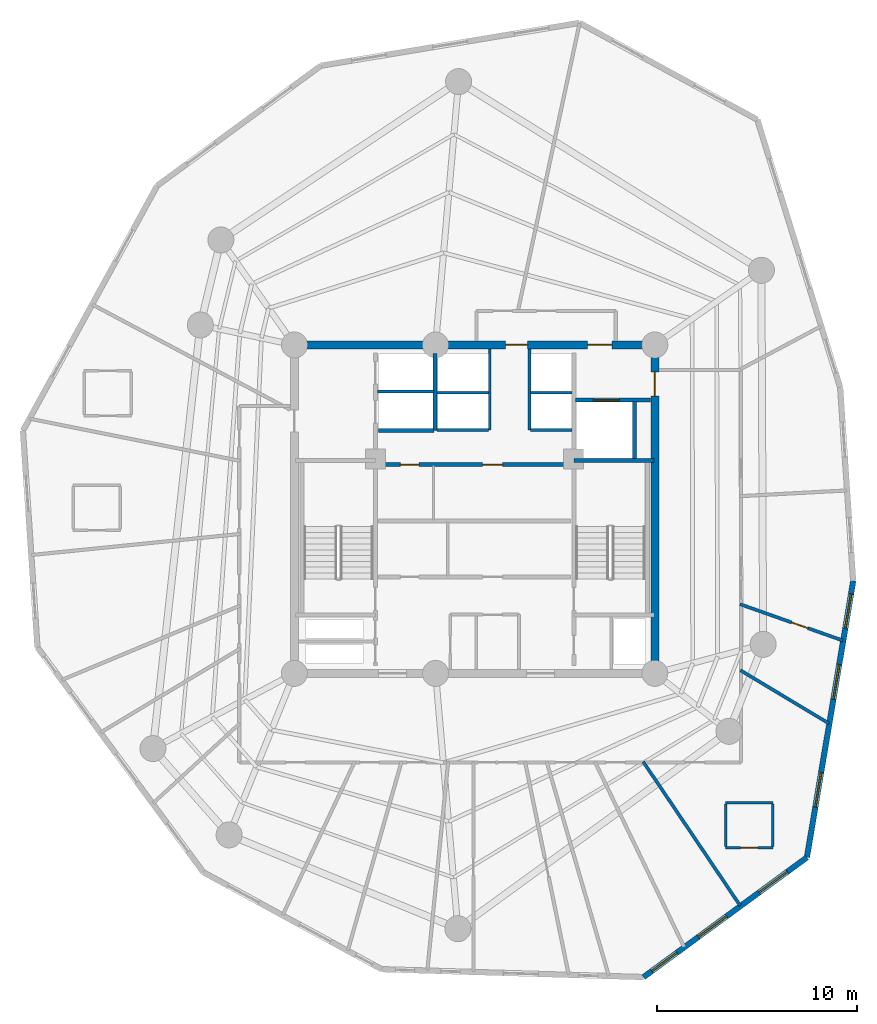
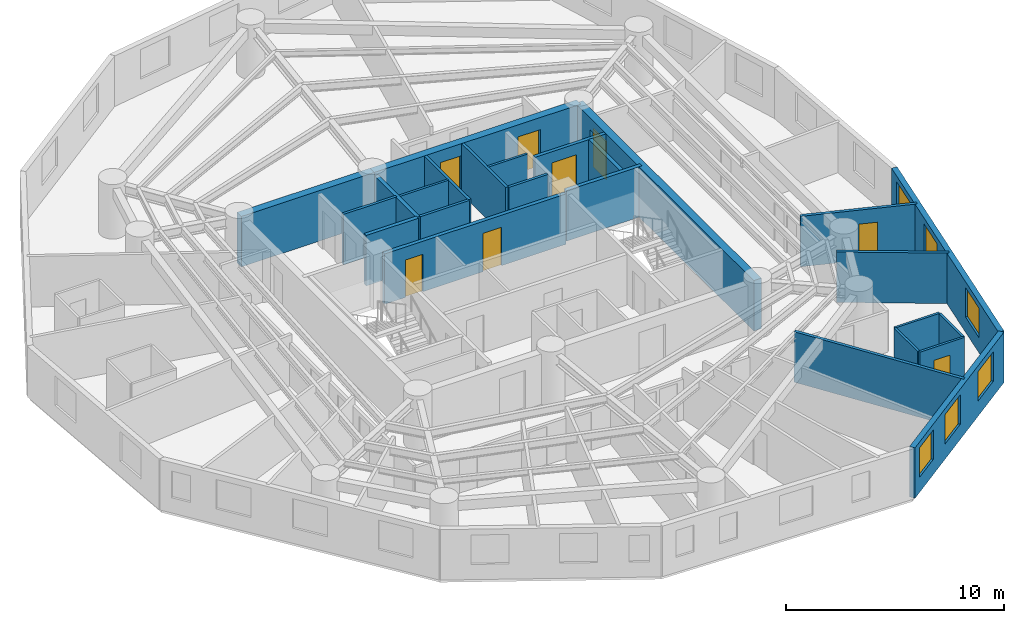
# One storey, part 5 of 7: 25 walls, 8 doors, 6 windows, 14 openings.
"""IFC4 building model written with IfcOpenShell, lengths in metres."""

from ifc_helpers import new_model, si_unit, direction, frame, frame_2d, origin, origin_with_axes, place, context, subcontext, project, spatial, rectangle, extrude, source, transform, mapped, material, layer, layer_set, type_object, element, fill, save


model = new_model("IFC4")

# Units and contexts
model_context = context("Model", 3, precision=1e-05, world=origin(), true_north=direction((0.0, 1.0)))
body_context = subcontext(model_context, "Body", "Model", "MODEL_VIEW")
ifc_project = project(units=[si_unit("LENGTHUNIT", "METRE"), si_unit("AREAUNIT", "SQUARE_METRE"), si_unit("VOLUMEUNIT", "CUBIC_METRE"), si_unit("PLANEANGLEUNIT", "RADIAN"), si_unit("MASSUNIT", "GRAM", prefix="KILO")], contexts=[model_context])

# Site, building, storey
site_placement = place(None, origin())
site = spatial("IfcSite", under=ifc_project, at=site_placement, CompositionType="ELEMENT")
building_placement = place(site_placement, origin())
building = spatial("IfcBuilding", under=site, at=building_placement, Name="Karkom Vertical University and Central Library", CompositionType="ELEMENT")
storey_placement = place(building_placement, frame((0.0, 0.0, 196.199951171875)))
storey = spatial("IfcBuildingStorey", under=building, at=storey_placement, Name="L57", CompositionType="ELEMENT", Elevation=196.199951171875)

# Wall, openings, windows
ifc_material_1 = material(Name="Brick-faced precast concrete C45/55", Category="masonry")
ifc_layer_1 = layer(ifc_material_1, 0.280029296875)
ifc_layer_set_1 = layer_set([ifc_layer_1], Name="Brick-faced precast concrete C45/55")
wall_type_1 = type_object("IfcWallType", Name="ENV-WL-BRK-280", PredefinedType="SOLIDWALL", material=ifc_layer_set_1)
wall_1_placement = place(storey_placement, frame((36.93701171875, 3.12744140625, 0.0), z_axis=(0.0, 0.0, 1.0), x_axis=(0.806602107794, 0.591094780642, 0.0)))
wall_1 = element("IfcWall", 1, at=wall_1_placement, inside=storey, type_object=wall_type_1, Name="Level 57 Brick-Faced Precast Facade Wall 05", PredefinedType="SOLIDWALL", context=body_context, shape_type="SweptSolid", body=[
    extrude(rectangle(XDim=10.11767578125, YDim=0.280029296875, at=frame_2d((5.058837890625, 0.0))), origin(), (0.0, 0.0, 1.0), 2.824951171875),
])
opening_1_placement = place(wall_1_placement, frame((0.521728515625, 0.0, 0.85009765625)))
opening_1 = element("IfcOpeningElement", 2, at=opening_1_placement, cuts=wall_1, Name="Opening WN-09", PredefinedType="OPENING", context=body_context, shape_type="SweptSolid", body=[
    extrude(rectangle(XDim=1.550048828125, YDim=1.64990234375, at=frame_2d((0.77490234375, 0.824951171875))), frame((0.0, 0.14990234375, 0.0), z_axis=(0.0, -1.0, 0.0), x_axis=(1.0, 0.0, 0.0)), (0.0, 0.0, 1.0), 0.300048828125),
])
opening_2_placement = place(wall_1_placement, frame((3.39404296875, 0.0, 0.85009765625)))
opening_2 = element("IfcOpeningElement", 3, at=opening_2_placement, cuts=wall_1, Name="Opening WN-08", PredefinedType="OPENING", context=body_context, shape_type="SweptSolid", body=[
    extrude(rectangle(XDim=1.75, YDim=1.64990234375, at=frame_2d((0.875, 0.824951171875))), frame((0.0, 0.14990234375, 0.0), z_axis=(0.0, -1.0, 0.0), x_axis=(1.0, 0.0, 0.0)), (0.0, 0.0, 1.0), 0.300048828125),
])
opening_3_placement = place(wall_1_placement, frame((7.15625, 0.0, 0.85009765625)))
opening_3 = element("IfcOpeningElement", 4, at=opening_3_placement, cuts=wall_1, Name="Opening WN-08", PredefinedType="OPENING", context=body_context, shape_type="SweptSolid", body=[
    extrude(rectangle(XDim=1.75, YDim=1.64990234375, at=frame_2d((0.875, 0.824951171875))), frame((0.0, 0.14990234375, 0.0), z_axis=(0.0, -1.0, 0.0), x_axis=(1.0, 0.0, 0.0)), (0.0, 0.0, 1.0), 0.300048828125),
])
ifc_material_2 = material(Name="Aluminium thermal-break frame with solar-control IGU", Category="aluminium")
window_type_1 = type_object("IfcWindowType", Name="ENV-WIN-WN-08", PartitioningType="SINGLE_PANEL", PredefinedType="WINDOW", material=ifc_material_2)
shared_shape_1 = source(origin_with_axes(), body_context, "Body", "SweptSolid", [
    extrude(rectangle(XDim=1.75, YDim=1.64990234375, at=frame_2d((0.875, 0.824951171875))), frame((0.0, 0.030029296875, 0.0), z_axis=(0.0, -1.0, 0.0), x_axis=(1.0, 0.0, 0.0)), (0.0, 0.0, 1.0), 0.06005859375),
])
window_1_placement = place(opening_2_placement, origin())
window_1 = element("IfcWindow", 5, at=window_1_placement, inside=storey, type_object=window_type_1, Name="Level 57 Punched Window 5.2", OverallHeight=1.64990234375, OverallWidth=1.75, PartitioningType="SINGLE_PANEL", PredefinedType="WINDOW", context=body_context, shape_type="MappedRepresentation", body=[
    mapped(shared_shape_1, transform((0.0, 0.0, 0.0), scale=1.0)),
])
fill(opening_2, window_1)
window_2_placement = place(opening_3_placement, origin())
window_2 = element("IfcWindow", 6, at=window_2_placement, inside=storey, type_object=window_type_1, Name="Level 57 Punched Window 5.3", OverallHeight=1.64990234375, OverallWidth=1.75, PartitioningType="SINGLE_PANEL", PredefinedType="WINDOW", context=body_context, shape_type="MappedRepresentation", body=[
    mapped(shared_shape_1, transform((0.0, 0.0, 0.0), scale=1.0)),
])
fill(opening_3, window_2)
window_type_2 = type_object("IfcWindowType", Name="ENV-WIN-WN-09", PartitioningType="SINGLE_PANEL", PredefinedType="WINDOW", material=ifc_material_2)
shared_shape_2 = source(origin_with_axes(), body_context, "Body", "SweptSolid", [
    extrude(rectangle(XDim=1.550048828125, YDim=1.64990234375, at=frame_2d((0.77490234375, 0.824951171875))), frame((0.0, 0.030029296875, 0.0), z_axis=(0.0, -1.0, 0.0), x_axis=(1.0, 0.0, 0.0)), (0.0, 0.0, 1.0), 0.06005859375),
])
window_3_placement = place(opening_1_placement, origin())
window_3 = element("IfcWindow", 7, at=window_3_placement, inside=storey, type_object=window_type_2, Name="Level 57 Punched Window 5.1", OverallHeight=1.64990234375, OverallWidth=1.550048828125, PartitioningType="SINGLE_PANEL", PredefinedType="WINDOW", context=body_context, shape_type="MappedRepresentation", body=[
    mapped(shared_shape_2, transform((0.0, 0.0, 0.0), scale=1.0)),
])
fill(opening_1, window_3)

wall_2_placement = place(storey_placement, frame((45.097900390625, 9.10791015625, 0.0), z_axis=(0.0, 0.0, 1.0), x_axis=(0.165224465417, 0.986255989096, 0.0)))
wall_2 = element("IfcWall", 8, at=wall_2_placement, inside=storey, type_object=wall_type_1, Name="Level 57 Brick-Faced Precast Facade Wall 06", PredefinedType="SOLIDWALL", context=body_context, shape_type="SweptSolid", body=[
    extrude(rectangle(XDim=14.00341796875, YDim=0.280029296875, at=frame_2d((7.001708984375, 0.0))), origin(), (0.0, 0.0, 1.0), 2.824951171875),
])
opening_4_placement = place(wall_2_placement, frame((2.552490234375, 0.0, 0.85009765625)))
opening_4 = element("IfcOpeningElement", 9, at=opening_4_placement, cuts=wall_2, Name="Opening WN-08", PredefinedType="OPENING", context=body_context, shape_type="SweptSolid", body=[
    extrude(rectangle(XDim=1.75, YDim=1.64990234375, at=frame_2d((0.875, 0.824951171875))), frame((0.0, 0.14990234375, 0.0), z_axis=(0.0, -1.0, 0.0), x_axis=(1.0, 0.0, 0.0)), (0.0, 0.0, 1.0), 0.300048828125),
])
opening_5_placement = place(wall_2_placement, frame((8.015380859375, 0.0, 0.85009765625)))
opening_5 = element("IfcOpeningElement", 10, at=opening_5_placement, cuts=wall_2, Name="Opening WN-08", PredefinedType="OPENING", context=body_context, shape_type="SweptSolid", body=[
    extrude(rectangle(XDim=1.75, YDim=1.64990234375, at=frame_2d((0.875, 0.824951171875))), frame((0.0, 0.14990234375, 0.0), z_axis=(0.0, -1.0, 0.0), x_axis=(1.0, 0.0, 0.0)), (0.0, 0.0, 1.0), 0.300048828125),
])
opening_6_placement = place(wall_2_placement, frame((11.589599609375, 0.0, 0.85009765625)))
opening_6 = element("IfcOpeningElement", 11, at=opening_6_placement, cuts=wall_2, Name="Opening WN-08", PredefinedType="OPENING", context=body_context, shape_type="SweptSolid", body=[
    extrude(rectangle(XDim=1.75, YDim=1.64990234375, at=frame_2d((0.875, 0.824951171875))), frame((0.0, 0.14990234375, 0.0), z_axis=(0.0, -1.0, 0.0), x_axis=(1.0, 0.0, 0.0)), (0.0, 0.0, 1.0), 0.300048828125),
])
window_4_placement = place(opening_4_placement, origin())
window_4 = element("IfcWindow", 12, at=window_4_placement, inside=storey, type_object=window_type_1, Name="Level 57 Punched Window 6.1", OverallHeight=1.64990234375, OverallWidth=1.75, PartitioningType="SINGLE_PANEL", PredefinedType="WINDOW", context=body_context, shape_type="MappedRepresentation", body=[
    mapped(shared_shape_1, transform((0.0, 0.0, 0.0), scale=1.0)),
])
fill(opening_4, window_4)
window_5_placement = place(opening_5_placement, origin())
window_5 = element("IfcWindow", 13, at=window_5_placement, inside=storey, type_object=window_type_1, Name="Level 57 Punched Window 6.2", OverallHeight=1.64990234375, OverallWidth=1.75, PartitioningType="SINGLE_PANEL", PredefinedType="WINDOW", context=body_context, shape_type="MappedRepresentation", body=[
    mapped(shared_shape_1, transform((0.0, 0.0, 0.0), scale=1.0)),
])
fill(opening_5, window_5)
window_6_placement = place(opening_6_placement, origin())
window_6 = element("IfcWindow", 14, at=window_6_placement, inside=storey, type_object=window_type_1, Name="Level 57 Punched Window 6.3", OverallHeight=1.64990234375, OverallWidth=1.75, PartitioningType="SINGLE_PANEL", PredefinedType="WINDOW", context=body_context, shape_type="MappedRepresentation", body=[
    mapped(shared_shape_1, transform((0.0, 0.0, 0.0), scale=1.0)),
])
fill(opening_6, window_6)

# Wall
ifc_material_3 = material(Name="Insulated metal-stud drywall 160mm", Category="gypsum")
ifc_layer_2 = layer(ifc_material_3, 0.159912109375)
ifc_layer_set_2 = layer_set([ifc_layer_2], Name="Insulated metal-stud drywall 160mm")
wall_type_2 = type_object("IfcWallType", Name="INT-WL-COR-160", PredefinedType="PARTITIONING", material=ifc_layer_set_2)
wall_3_placement = place(storey_placement, frame((36.921630859375, 13.88720703125, 0.0), z_axis=(0.0, 0.0, 1.0), x_axis=(0.558612635936, -0.829428672625, 0.0)))
element("IfcWall", 15, at=wall_3_placement, inside=storey, type_object=wall_type_2, Name="Level 57 Interior Partition Wall L57-PW-012", PredefinedType="PARTITIONING", context=body_context, shape_type="SweptSolid", body=[
    extrude(rectangle(XDim=8.669677734375, YDim=0.159912109375, at=frame_2d((4.3349609375, 0.0))), origin(), (0.0, 0.0, 1.0), 2.824951171875),
])

# Wall, opening, door
wall_4_placement = place(storey_placement, frame((41.757568359375, 21.753173828125, 0.0), z_axis=(0.0, 0.0, 1.0), x_axis=(0.942885884215, -0.333115909779, 0.0)))
wall_4 = element("IfcWall", 16, at=wall_4_placement, inside=storey, type_object=wall_type_2, Name="Level 57 Interior Partition Wall L57-PW-014", PredefinedType="PARTITIONING", context=body_context, shape_type="SweptSolid", body=[
    extrude(rectangle(XDim=5.439697265625, YDim=0.159912109375, at=frame_2d((2.7197265625, 0.0))), origin(), (0.0, 0.0, 1.0), 2.824951171875),
])
opening_7_placement = place(wall_4_placement, frame((2.729736328125, 0.0, 0.0)))
opening_7 = element("IfcOpeningElement", 17, at=opening_7_placement, cuts=wall_4, Name="Opening FD-BTH2", PredefinedType="OPENING", context=body_context, shape_type="SweptSolid", body=[
    extrude(rectangle(XDim=0.860107421875, YDim=2.0400390625, at=frame_2d((0.43017578125, 1.02001953125))), frame((0.0, 0.08984375, 0.0), z_axis=(0.0, -1.0, 0.0), x_axis=(1.0, 0.0, 0.0)), (0.0, 0.0, 1.0), 0.179931640625),
])
ifc_material_4 = material(Name="Fire-rated moisture-resistant oak door", Category="wood")
door_type_1 = type_object("IfcDoorType", Name="INT-DR-FBTH2", OperationType="NOTDEFINED", PredefinedType="DOOR", material=ifc_material_4)
shared_shape_3 = source(origin_with_axes(), body_context, "Body", "SweptSolid", [
    extrude(rectangle(XDim=0.860107421875, YDim=2.0400390625, at=frame_2d((0.43017578125, 1.02001953125))), frame((0.0, 0.02490234375, 0.0), z_axis=(0.0, -1.0, 0.0), x_axis=(1.0, 0.0, 0.0)), (0.0, 0.0, 1.0), 0.050048828125),
])
door_1_placement = place(opening_7_placement, origin())
door_1 = element("IfcDoor", 18, at=door_1_placement, inside=storey, type_object=door_type_1, Name="Level 57 Scholar Consultation Office Entry Door", OperationType="SINGLE_SWING_LEFT", OverallHeight=2.0400390625, OverallWidth=0.860107421875, PredefinedType="DOOR", context=body_context, shape_type="MappedRepresentation", body=[
    mapped(shared_shape_3, transform((0.0, 0.0, 0.0), scale=1.0)),
])
fill(opening_7, door_1)

# Wall
wall_5_placement = place(storey_placement, frame((41.7744140625, 18.45458984375, 0.0), z_axis=(0.0, 0.0, 1.0), x_axis=(0.857174888139, -0.515025447084, 0.0)))
element("IfcWall", 19, at=wall_5_placement, inside=storey, type_object=wall_type_2, Name="Level 57 Interior Partition Wall L57-PW-013", PredefinedType="PARTITIONING", context=body_context, shape_type="SweptSolid", body=[
    extrude(rectangle(XDim=5.150390625, YDim=0.159912109375, at=frame_2d((2.5751953125, 0.0))), origin(), (0.0, 0.0, 1.0), 2.824951171875),
])

# Wall, opening, door
ifc_material_5 = material(Name="Moisture-resistant drywall 120mm", Category="gypsum")
ifc_layer_3 = layer(ifc_material_5, 0.1201171875)
ifc_layer_set_3 = layer_set([ifc_layer_3], Name="Moisture-resistant drywall 120mm")
wall_type_3 = type_object("IfcWallType", Name="INT-WL-INT-120F", PredefinedType="PARTITIONING", material=ifc_layer_set_3)
wall_6_placement = place(storey_placement, frame((41.034912109375, 9.593994140625, 0.0), z_axis=(0.0, 0.0, 1.0), x_axis=(1.0, 0.0, 0.0)))
wall_6 = element("IfcWall", 20, at=wall_6_placement, inside=storey, type_object=wall_type_3, Name="Level 57 Interior Partition Wall L57-ENS-11-S", PredefinedType="PARTITIONING", context=body_context, shape_type="SweptSolid", body=[
    extrude(rectangle(XDim=2.360107421875, YDim=0.1201171875, at=frame_2d((1.18017578125, 0.0))), origin(), (0.0, 0.0, 1.0), 2.824951171875),
])
opening_8_placement = place(wall_6_placement, frame((0.75, 0.0, 0.0)))
opening_8 = element("IfcOpeningElement", 21, at=opening_8_placement, cuts=wall_6, Name="Opening D-BATH", PredefinedType="OPENING", context=body_context, shape_type="SweptSolid", body=[
    extrude(rectangle(XDim=0.860107421875, YDim=2.10009765625, at=frame_2d((0.43017578125, 1.050048828125))), frame((0.0, 0.070068359375, 0.0), z_axis=(0.0, -1.0, 0.0), x_axis=(1.0, 0.0, 0.0)), (0.0, 0.0, 1.0), 0.14013671875),
])
ifc_material_6 = material(Name="Moisture-resistant oak door", Category="wood")
door_type_2 = type_object("IfcDoorType", Name="INT-DR-BATH", OperationType="NOTDEFINED", PredefinedType="DOOR", material=ifc_material_6)
shared_shape_4 = source(origin_with_axes(), body_context, "Body", "SweptSolid", [
    extrude(rectangle(XDim=0.860107421875, YDim=2.10009765625, at=frame_2d((0.43017578125, 1.050048828125))), frame((0.0, 0.02490234375, 0.0), z_axis=(0.0, -1.0, 0.0), x_axis=(1.0, 0.0, 0.0)), (0.0, 0.0, 1.0), 0.050048828125),
])
door_2_placement = place(opening_8_placement, origin())
door_2 = element("IfcDoor", 22, at=door_2_placement, inside=storey, type_object=door_type_2, Name="Level 57 En-Suite Bathroom Door 11", OperationType="SINGLE_SWING_LEFT", OverallHeight=2.10009765625, OverallWidth=0.860107421875, PredefinedType="DOOR", context=body_context, shape_type="MappedRepresentation", body=[
    mapped(shared_shape_4, transform((0.0, 0.0, 0.0), scale=1.0)),
])
fill(opening_8, door_2)

# Walls
wall_7_placement = place(storey_placement, frame((43.39501953125, 11.833984375, 0.0), z_axis=(0.0, 0.0, 1.0), x_axis=(-1.0, 0.0, 0.0)))
element("IfcWall", 23, at=wall_7_placement, inside=storey, type_object=wall_type_3, Name="Level 57 Interior Partition Wall L57-ENS-11-N", PredefinedType="PARTITIONING", context=body_context, shape_type="SweptSolid", body=[
    extrude(rectangle(XDim=2.360107421875, YDim=0.1201171875, at=frame_2d((1.18017578125, 0.0))), origin(), (0.0, 0.0, 1.0), 2.824951171875),
])
for number, where, z_axis, x_axis, name in (
    (24, (43.39501953125, 9.64404296875, 0.0), (0.0, 0.0, 1.0), (0.0, 1.0, 0.0), "Level 57 Interior Partition Wall L57-ENS-11-E"),
    (25, (41.034912109375, 11.783935546875, 0.0), (0.0, 0.0, 1.0), (0.0, -1.0, 0.0), "Level 57 Interior Partition Wall L57-ENS-11-W"),
):
    element("IfcWall", number, at=place(storey_placement, frame(where, z_axis=z_axis, x_axis=x_axis)), inside=storey, type_object=wall_type_3, Name=name, PredefinedType="PARTITIONING", context=body_context, shape_type="SweptSolid", body=[
        extrude(rectangle(XDim=2.139892578125, YDim=0.1201171875, at=frame_2d((1.06982421875, 0.0))), origin(), (0.0, 0.0, 1.0), 2.824951171875),
    ])
ifc_layer_4 = layer(ifc_material_5, 0.1201171875)
ifc_layer_set_4 = layer_set([ifc_layer_4], Name="Moisture-resistant drywall 120mm")
wall_type_4 = type_object("IfcWallType", Name="INT-WL-INT-120H", PredefinedType="PARTITIONING", material=ifc_layer_set_4)
wall_8_placement = place(storey_placement, frame((26.6201171875, 32.320068359375, 0.0), z_axis=(0.0, 0.0, 1.0), x_axis=(1.0, 0.0, 0.0)))
element("IfcWall", 26, at=wall_8_placement, inside=storey, type_object=wall_type_4, Name="Level 57 Interior Partition Wall L57-CW-PH-MW", PredefinedType="PARTITIONING", context=body_context, shape_type="SweptSolid", body=[
    extrude(rectangle(XDim=2.579833984375, YDim=0.1201171875, at=frame_2d((1.2900390625, 0.0))), origin(), (0.0, 0.0, 1.0), 2.824951171875),
])
wall_9_placement = place(storey_placement, frame((31.300048828125, 32.320068359375, 0.0), z_axis=(0.0, 0.0, 1.0), x_axis=(1.0, 0.0, 0.0)))
element("IfcWall", 27, at=wall_9_placement, inside=storey, type_object=wall_type_4, Name="Level 57 Interior Partition Wall L57-CW-PH-ME", PredefinedType="PARTITIONING", context=body_context, shape_type="SweptSolid", body=[
    extrude(rectangle(XDim=2.074951171875, YDim=0.1201171875, at=frame_2d((1.03759765625, 0.0))), origin(), (0.0, 0.0, 1.0), 2.824951171875),
])
ifc_material_7 = material(Name="Metal-stud gypsum partition 140mm", Category="gypsum")
ifc_layer_5 = layer(ifc_material_7, 0.139892578125)
ifc_layer_set_5 = layer_set([ifc_layer_5], Name="Metal-stud gypsum partition 140mm")
wall_type_5 = type_object("IfcWallType", Name="INT-WL-SUB-140H", PredefinedType="PARTITIONING", material=ifc_layer_set_5)
for number, where, z_axis, x_axis, name in (
    (28, (29.260009765625, 30.449951171875, 0.0), (0.0, 0.0, 1.0), (0.0, 1.0, 0.0), "Level 57 Interior Partition Wall L57-CW-PH-W"),
    (29, (31.239990234375, 30.449951171875, 0.0), (0.0, 0.0, 1.0), (0.0, 1.0, 0.0), "Level 57 Interior Partition Wall L57-CW-PH-E"),
):
    element("IfcWall", number, at=place(storey_placement, frame(where, z_axis=z_axis, x_axis=x_axis)), inside=storey, type_object=wall_type_5, Name=name, PredefinedType="PARTITIONING", context=body_context, shape_type="SweptSolid", body=[
        extrude(rectangle(XDim=4.04296875, YDim=0.139892578125, at=frame_2d((2.021484375, 0.0))), origin(), (0.0, 0.0, 1.0), 2.824951171875),
    ])
wall_10_placement = place(storey_placement, frame((26.6201171875, 30.449951171875, 0.0), z_axis=(0.0, 0.0, 1.0), x_axis=(1.0, 0.0, 0.0)))
element("IfcWall", 30, at=wall_10_placement, inside=storey, type_object=wall_type_5, Name="Level 57 Interior Partition Wall L57-CW-PH-S1", PredefinedType="PARTITIONING", context=body_context, shape_type="SweptSolid", body=[
    extrude(rectangle(XDim=2.579833984375, YDim=0.139892578125, at=frame_2d((1.2900390625, 0.0))), origin(), (0.0, 0.0, 1.0), 2.824951171875),
])
wall_11_placement = place(storey_placement, frame((31.300048828125, 30.449951171875, 0.0), z_axis=(0.0, 0.0, 1.0), x_axis=(1.0, 0.0, 0.0)))
element("IfcWall", 31, at=wall_11_placement, inside=storey, type_object=wall_type_5, Name="Level 57 Interior Partition Wall L57-CW-PH-S2", PredefinedType="PARTITIONING", context=body_context, shape_type="SweptSolid", body=[
    extrude(rectangle(XDim=2.074951171875, YDim=0.139892578125, at=frame_2d((1.03759765625, 0.0))), origin(), (0.0, 0.0, 1.0), 2.824951171875),
])
ifc_layer_6 = layer(ifc_material_7, 0.139892578125)
ifc_layer_set_6 = layer_set([ifc_layer_6], Name="Metal-stud gypsum partition 140mm")
wall_type_6 = type_object("IfcWallType", Name="INT-WL-SUB-140X", PredefinedType="PARTITIONING", material=ifc_layer_set_6)
wall_12_placement = place(storey_placement, frame((23.652099609375, 32.3701171875, 0.0), z_axis=(0.0, 0.0, 1.0), x_axis=(1.0, 0.0, 0.0)))
element("IfcWall", 32, at=wall_12_placement, inside=storey, type_object=wall_type_6, Name="Level 57 Interior Partition Wall L57-CW-FFL-M", PredefinedType="PARTITIONING", context=body_context, shape_type="SweptSolid", body=[
    extrude(rectangle(XDim=2.827880859375, YDim=0.139892578125, at=frame_2d((1.4140625, 0.0))), origin(), (0.0, 0.0, 1.0), 2.824951171875),
])

# Wall, opening, door
ifc_material_8 = material(Name="Twin-stud acoustic drywall 180mm", Category="gypsum")
ifc_layer_7 = layer(ifc_material_8, 0.179931640625)
ifc_layer_set_7 = layer_set([ifc_layer_7], Name="Twin-stud acoustic drywall 180mm")
wall_type_7 = type_object("IfcWallType", Name="INT-WL-TEN-180F", PredefinedType="PARTITIONING", material=ifc_layer_set_7)
wall_13_placement = place(storey_placement, frame((33.534912109375, 31.949951171875, 0.0), z_axis=(0.0, 0.0, 1.0), x_axis=(1.0, 0.0, 0.0)))
wall_13 = element("IfcWall", 33, at=wall_13_placement, inside=storey, type_object=wall_type_7, Name="Level 57 Interior Partition Wall L57-CW-SVL-N", PredefinedType="PARTITIONING", context=body_context, shape_type="SweptSolid", body=[
    extrude(rectangle(XDim=3.7587890625, YDim=0.179931640625, at=frame_2d((1.87939453125, 0.0))), origin(), (0.0, 0.0, 1.0), 2.824951171875),
])
opening_9_placement = place(wall_13_placement, frame((0.89990234375, 0.0, 0.0)))
opening_9 = element("IfcOpeningElement", 34, at=opening_9_placement, cuts=wall_13, Name="Opening LD-SV1", PredefinedType="OPENING", context=body_context, shape_type="SweptSolid", body=[
    extrude(rectangle(XDim=1.300048828125, YDim=2.199951171875, at=frame_2d((0.64990234375, 1.10009765625))), frame((0.0, 0.10009765625, 0.0), z_axis=(0.0, -1.0, 0.0), x_axis=(1.0, 0.0, 0.0)), (0.0, 0.0, 1.0), 0.199951171875),
])
ifc_material_9 = material(Name="Brushed stainless-steel landing door", Category="steel")
door_type_3 = type_object("IfcDoorType", Name="INT-DR-LD-SV1", OperationType="SLIDING_TO_LEFT", PredefinedType="DOOR", material=ifc_material_9)
shared_shape_5 = source(origin_with_axes(), body_context, "Body", "SweptSolid", [
    extrude(rectangle(XDim=1.300048828125, YDim=2.199951171875, at=frame_2d((0.64990234375, 1.10009765625))), frame((0.0, 0.02490234375, 0.0), z_axis=(0.0, -1.0, 0.0), x_axis=(1.0, 0.0, 0.0)), (0.0, 0.0, 1.0), 0.050048828125),
])
door_3_placement = place(opening_9_placement, origin())
door_3 = element("IfcDoor", 35, at=door_3_placement, inside=storey, type_object=door_type_3, Name="Level 57 Service Lift Landing Door LD-SV1", OperationType="SLIDING_TO_LEFT", OverallHeight=2.199951171875, OverallWidth=1.300048828125, PredefinedType="DOOR", context=body_context, shape_type="MappedRepresentation", body=[
    mapped(shared_shape_5, transform((0.0, 0.0, 0.0), scale=1.0)),
])
fill(opening_9, door_3)

ifc_material_10 = material(Name="Concrete C50/60", Category="concrete")
ifc_layer_8 = layer(ifc_material_10, 0.39990234375)
ifc_layer_set_8 = layer_set([ifc_layer_8], Name="Concrete C50/60")
wall_type_8 = type_object("IfcWallType", Name="STR-WL-CW-400", PredefinedType="SHEAR", material=ifc_layer_set_8)
wall_14_placement = place(storey_placement, frame((37.5, 18.300048828125, 0.0), z_axis=(0.0, 0.0, 1.0), x_axis=(0.0, 1.0, 0.0)))
wall_14 = element("IfcWall", 36, at=wall_14_placement, inside=storey, type_object=wall_type_8, Name="Level 57 Central Core Shear Wall EW", PredefinedType="SHEAR", context=body_context, shape_type="SweptSolid", body=[
    extrude(rectangle(XDim=16.39990234375, YDim=0.39990234375, at=frame_2d((8.199951171875, 0.0))), origin(), (0.0, 0.0, 1.0), 2.824951171875),
])
opening_10_placement = place(wall_14_placement, frame((13.85009765625, 0.0, 0.0)))
opening_10 = element("IfcOpeningElement", 37, at=opening_10_placement, cuts=wall_14, Name="Opening FD-SUB1", PredefinedType="OPENING", context=body_context, shape_type="SweptSolid", body=[
    extrude(rectangle(XDim=1.199951171875, YDim=2.14990234375, at=frame_2d((0.60009765625, 1.074951171875))), frame((0.0, 0.2099609375, 0.0), z_axis=(0.0, -1.0, 0.0), x_axis=(1.0, 0.0, 0.0)), (0.0, 0.0, 1.0), 0.419921875),
])
ifc_material_11 = material(Name="Painted steel fire door", Category="steel")
door_type_4 = type_object("IfcDoorType", Name="INT-DR-SUB1", OperationType="NOTDEFINED", PredefinedType="DOOR", material=ifc_material_11)
shared_shape_6 = source(origin_with_axes(), body_context, "Body", "SweptSolid", [
    extrude(rectangle(XDim=1.199951171875, YDim=2.14990234375, at=frame_2d((0.60009765625, 1.074951171875))), frame((0.0, 0.02490234375, 0.0), z_axis=(0.0, -1.0, 0.0), x_axis=(1.0, 0.0, 0.0)), (0.0, 0.0, 1.0), 0.050048828125),
])
door_4_placement = place(opening_10_placement, origin())
door_4 = element("IfcDoor", 38, at=door_4_placement, inside=storey, type_object=door_type_4, Name="Level 57 East Corridor Service Lobby Door", OperationType="SINGLE_SWING_LEFT", OverallHeight=2.14990234375, OverallWidth=1.199951171875, PredefinedType="DOOR", context=body_context, shape_type="MappedRepresentation", body=[
    mapped(shared_shape_6, transform((0.0, 0.0, 0.0), scale=1.0)),
])
fill(opening_10, door_4)

# Wall, openings, doors
wall_15_placement = place(storey_placement, frame((37.5, 34.699951171875, 0.0), z_axis=(0.0, 0.0, 1.0), x_axis=(-1.0, 0.0, 0.0)))
wall_15 = element("IfcWall", 39, at=wall_15_placement, inside=storey, type_object=wall_type_8, Name="Level 57 Central Core Shear Wall NW1", PredefinedType="SHEAR", context=body_context, shape_type="SweptSolid", body=[
    extrude(rectangle(XDim=10.949951171875, YDim=0.39990234375, at=frame_2d((5.47509765625, 0.0))), origin(), (0.0, 0.0, 1.0), 2.824951171875),
])
opening_11_placement = place(wall_15_placement, frame((2.14990234375, 0.0, 0.0)))
opening_11 = element("IfcOpeningElement", 40, at=opening_11_placement, cuts=wall_15, Name="Opening FD-SUB1", PredefinedType="OPENING", context=body_context, shape_type="SweptSolid", body=[
    extrude(rectangle(XDim=1.199951171875, YDim=2.14990234375, at=frame_2d((0.60009765625, 1.074951171875))), frame((0.0, 0.2099609375, 0.0), z_axis=(0.0, -1.0, 0.0), x_axis=(1.0, 0.0, 0.0)), (0.0, 0.0, 1.0), 0.419921875),
])
opening_12_placement = place(wall_15_placement, frame((6.35009765625, 0.0, 0.0)))
opening_12 = element("IfcOpeningElement", 41, at=opening_12_placement, cuts=wall_15, Name="Opening FD-FFL", PredefinedType="OPENING", context=body_context, shape_type="SweptSolid", body=[
    extrude(rectangle(XDim=1.10009765625, YDim=2.14990234375, at=frame_2d((0.550048828125, 1.074951171875))), frame((0.0, 0.2099609375, 0.0), z_axis=(0.0, -1.0, 0.0), x_axis=(1.0, 0.0, 0.0)), (0.0, 0.0, 1.0), 0.419921875),
])
ifc_material_12 = material(Name="Painted steel smoke-seal fire door", Category="steel")
door_type_5 = type_object("IfcDoorType", Name="INT-DR-FFL", OperationType="NOTDEFINED", PredefinedType="DOOR", material=ifc_material_12)
shared_shape_7 = source(origin_with_axes(), body_context, "Body", "SweptSolid", [
    extrude(rectangle(XDim=1.10009765625, YDim=2.14990234375, at=frame_2d((0.550048828125, 1.074951171875))), frame((0.0, 0.02490234375, 0.0), z_axis=(0.0, -1.0, 0.0), x_axis=(1.0, 0.0, 0.0)), (0.0, 0.0, 1.0), 0.050048828125),
])
door_5_placement = place(opening_12_placement, origin())
door_5 = element("IfcDoor", 42, at=door_5_placement, inside=storey, type_object=door_type_5, Name="Level 57 North Core Lobby Exit Door", OperationType="SINGLE_SWING_RIGHT", OverallHeight=2.14990234375, OverallWidth=1.10009765625, PredefinedType="DOOR", context=body_context, shape_type="MappedRepresentation", body=[
    mapped(shared_shape_7, transform((0.0, 0.0, 0.0), scale=1.0)),
])
fill(opening_12, door_5)
door_6_placement = place(opening_11_placement, origin())
door_6 = element("IfcDoor", 43, at=door_6_placement, inside=storey, type_object=door_type_4, Name="Level 57 Service Lobby Fire Door", OperationType="SINGLE_SWING_RIGHT", OverallHeight=2.14990234375, OverallWidth=1.199951171875, PredefinedType="DOOR", context=body_context, shape_type="MappedRepresentation", body=[
    mapped(shared_shape_6, transform((0.0, 0.0, 0.0), scale=1.0)),
])
fill(opening_11, door_6)

# Wall
wall_16_placement = place(storey_placement, frame((26.550048828125, 34.699951171875, 0.0), z_axis=(0.0, 0.0, 1.0), x_axis=(-1.0, 0.0, 0.0)))
element("IfcWall", 44, at=wall_16_placement, inside=storey, type_object=wall_type_8, Name="Level 57 Central Core Shear Wall NW2", PredefinedType="SHEAR", context=body_context, shape_type="SweptSolid", body=[
    extrude(rectangle(XDim=7.050048828125, YDim=0.39990234375, at=frame_2d((3.52490234375, 0.0))), origin(), (0.0, 0.0, 1.0), 2.824951171875),
])

# Wall, openings, doors
ifc_material_13 = material(Name="Concrete C45/55", Category="concrete")
ifc_layer_9 = layer(ifc_material_13, 0.199951171875)
ifc_layer_set_9 = layer_set([ifc_layer_9], Name="Concrete C45/55")
wall_type_9 = type_object("IfcWallType", Name="STR-WL-ST-200", PredefinedType="SHEAR", material=ifc_layer_set_9)
wall_17_placement = place(storey_placement, frame((23.699951171875, 28.719970703125, 0.0), z_axis=(0.0, 0.0, 1.0), x_axis=(1.0, 0.0, 0.0)))
wall_17 = element("IfcWall", 45, at=wall_17_placement, inside=storey, type_object=wall_type_9, Name="Level 57 Core Shaft Wall L57-CW-B2-N", PredefinedType="SHEAR", context=body_context, shape_type="SweptSolid", body=[
    extrude(rectangle(XDim=9.60009765625, YDim=0.199951171875, at=frame_2d((4.800048828125, 0.0))), origin(), (0.0, 0.0, 1.0), 2.824951171875),
])
opening_13_placement = place(wall_17_placement, frame((1.10009765625, 0.0, 0.0)))
opening_13 = element("IfcOpeningElement", 46, at=opening_13_placement, cuts=wall_17, Name="Opening D-SVC1", PredefinedType="OPENING", context=body_context, shape_type="SweptSolid", body=[
    extrude(rectangle(XDim=0.919921875, YDim=2.10009765625, at=frame_2d((0.4599609375, 1.050048828125))), frame((0.0, 0.10986328125, 0.0), z_axis=(0.0, -1.0, 0.0), x_axis=(1.0, 0.0, 0.0)), (0.0, 0.0, 1.0), 0.219970703125),
])
opening_14_placement = place(wall_17_placement, frame((5.199951171875, 0.0, 0.0)))
opening_14 = element("IfcOpeningElement", 47, at=opening_14_placement, cuts=wall_17, Name="Opening D-STR1", PredefinedType="OPENING", context=body_context, shape_type="SweptSolid", body=[
    extrude(rectangle(XDim=1.0, YDim=2.14990234375, at=frame_2d((0.5, 1.074951171875))), frame((0.0, 0.10986328125, 0.0), z_axis=(0.0, -1.0, 0.0), x_axis=(1.0, 0.0, 0.0)), (0.0, 0.0, 1.0), 0.219970703125),
])
ifc_material_14 = material(Name="Painted timber service door", Category="wood")
door_type_6 = type_object("IfcDoorType", Name="INT-DR-SVC1", OperationType="NOTDEFINED", PredefinedType="DOOR", material=ifc_material_14)
shared_shape_8 = source(origin_with_axes(), body_context, "Body", "SweptSolid", [
    extrude(rectangle(XDim=0.919921875, YDim=2.10009765625, at=frame_2d((0.4599609375, 1.050048828125))), frame((0.0, 0.02490234375, 0.0), z_axis=(0.0, -1.0, 0.0), x_axis=(1.0, 0.0, 0.0)), (0.0, 0.0, 1.0), 0.050048828125),
])
door_7_placement = place(opening_13_placement, origin())
door_7 = element("IfcDoor", 48, at=door_7_placement, inside=storey, type_object=door_type_6, Name="Level 57 B2 West Store Door", OperationType="SINGLE_SWING_RIGHT", OverallHeight=2.10009765625, OverallWidth=0.919921875, PredefinedType="DOOR", context=body_context, shape_type="MappedRepresentation", body=[
    mapped(shared_shape_8, transform((0.0, 0.0, 0.0), scale=1.0)),
])
fill(opening_13, door_7)
ifc_material_15 = material(Name="Solid-core hardwood fire door", Category="wood")
door_type_7 = type_object("IfcDoorType", Name="INT-DR-STR1", OperationType="NOTDEFINED", PredefinedType="DOOR", material=ifc_material_15)
shared_shape_9 = source(origin_with_axes(), body_context, "Body", "SweptSolid", [
    extrude(rectangle(XDim=1.0, YDim=2.14990234375, at=frame_2d((0.5, 1.074951171875))), frame((0.0, 0.02490234375, 0.0), z_axis=(0.0, -1.0, 0.0), x_axis=(1.0, 0.0, 0.0)), (0.0, 0.0, 1.0), 0.050048828125),
])
door_8_placement = place(opening_14_placement, origin())
door_8 = element("IfcDoor", 49, at=door_8_placement, inside=storey, type_object=door_type_7, Name="Level 57 B2 East Plant Door", OperationType="SINGLE_SWING_LEFT", OverallHeight=2.14990234375, OverallWidth=1.0, PredefinedType="DOOR", context=body_context, shape_type="MappedRepresentation", body=[
    mapped(shared_shape_9, transform((0.0, 0.0, 0.0), scale=1.0)),
])
fill(opening_14, door_8)

# Walls
wall_18_placement = place(storey_placement, frame((33.455078125, 28.925048828125, 0.0), z_axis=(0.0, 0.0, 1.0), x_axis=(1.0, 0.0, 0.0)))
element("IfcWall", 50, at=wall_18_placement, inside=storey, type_object=wall_type_9, Name="Level 57 Core Shaft Wall L57-CW-ST2-N", PredefinedType="SHEAR", context=body_context, shape_type="SweptSolid", body=[
    extrude(rectangle(XDim=3.994873046875, YDim=0.199951171875, at=frame_2d((1.99755859375, 0.0))), origin(), (0.0, 0.0, 1.0), 2.824951171875),
])
wall_19_placement = place(storey_placement, frame((26.52001953125, 30.419921875, 0.0), z_axis=(0.0, 0.0, 1.0), x_axis=(0.0, 1.0, 0.0)))
element("IfcWall", 51, at=wall_19_placement, inside=storey, type_object=wall_type_9, Name="Level 57 Core Shaft Wall L57-CW-FFL-E", PredefinedType="SHEAR", context=body_context, shape_type="SweptSolid", body=[
    extrude(rectangle(XDim=3.860107421875, YDim=0.199951171875, at=frame_2d((1.93017578125, 0.0))), origin(), (0.0, 0.0, 1.0), 2.824951171875),
])
wall_20_placement = place(storey_placement, frame((36.47998046875, 29.02001953125, 0.0), z_axis=(0.0, 0.0, 1.0), x_axis=(0.0, 1.0, 0.0)))
element("IfcWall", 52, at=wall_20_placement, inside=storey, type_object=wall_type_9, Name="Level 57 Core Shaft Wall L57-CW-SVL-E", PredefinedType="SHEAR", context=body_context, shape_type="SweptSolid", body=[
    extrude(rectangle(XDim=2.85986328125, YDim=0.199951171875, at=frame_2d((1.429931640625, 0.0))), origin(), (0.0, 0.0, 1.0), 2.824951171875),
])
wall_21_placement = place(storey_placement, frame((23.699951171875, 30.419921875, 0.0), z_axis=(0.0, 0.0, 1.0), x_axis=(1.0, 0.0, 0.0)))
element("IfcWall", 53, at=wall_21_placement, inside=storey, type_object=wall_type_9, Name="Level 57 Core Shaft Wall L57-CW-FFL-S", PredefinedType="SHEAR", context=body_context, shape_type="SweptSolid", body=[
    extrude(rectangle(XDim=2.780029296875, YDim=0.199951171875, at=frame_2d((1.39013671875, 0.0))), origin(), (0.0, 0.0, 1.0), 2.824951171875),
])

save(model, "model.ifc")
